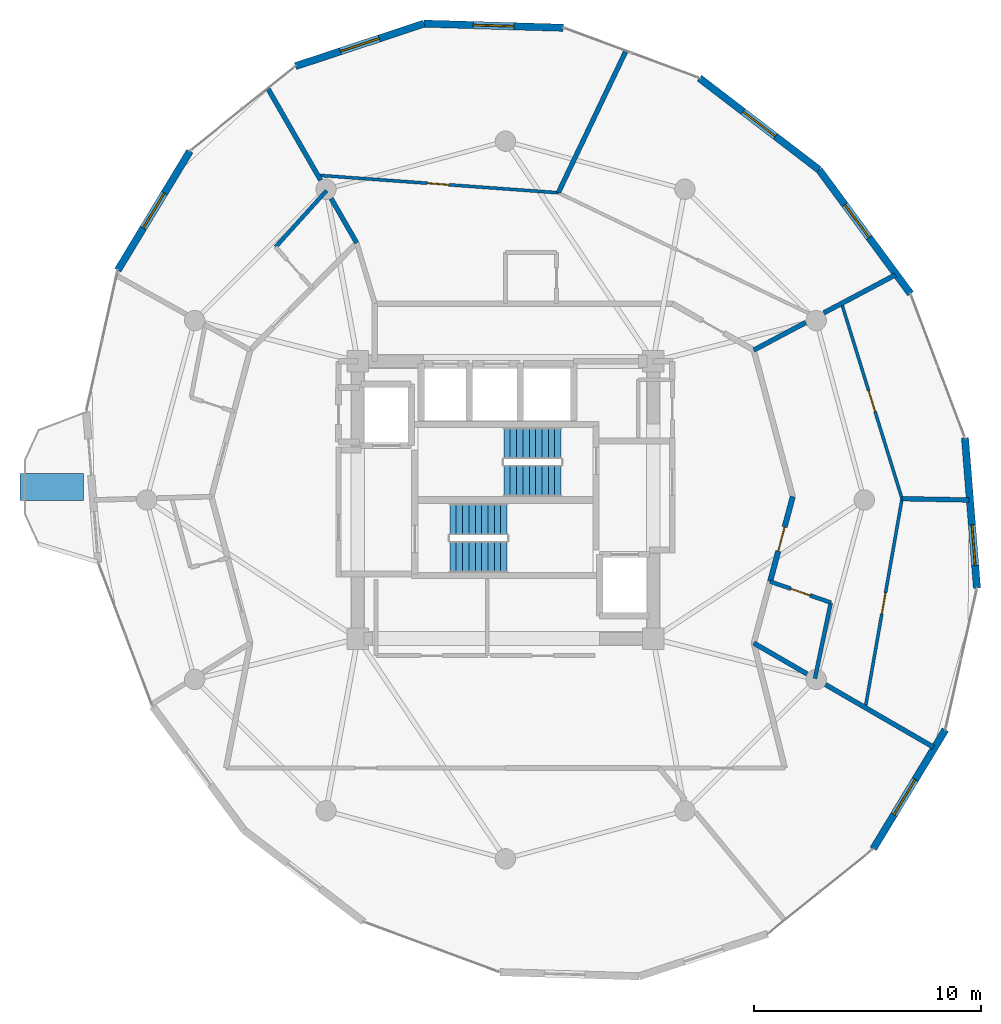
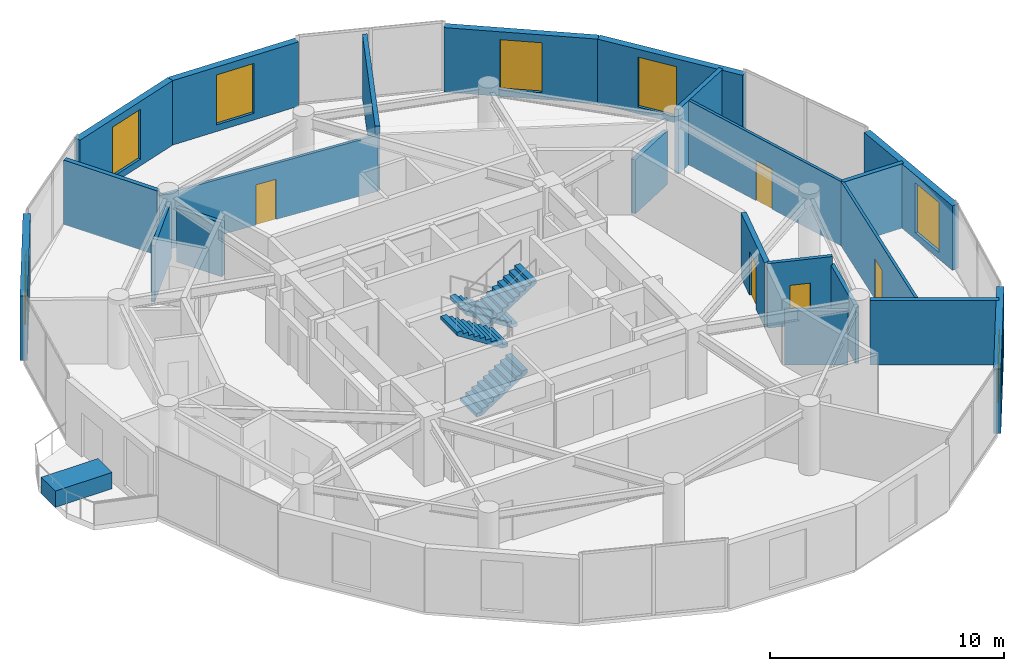
# One storey, part 18 of 20: 22 walls, 7 windows, 5 doors, 4 stair flights, 1 discrete accessory, 12 openings, 2 elements without a shape of their own.
"""IFC4 building model written with IfcOpenShell, lengths in metres."""

from ifc_helpers import new_model, si_unit, direction, frame, frame_2d, origin, origin_2d, place, context, subcontext, project, spatial, polyline, rectangle, outline, extrude, material, layer, layer_set, type_object, element, fill, aggregate, save


model = new_model("IFC4")

# Units and contexts
model_context = context("Model", 3, precision=1e-05, world=origin(), true_north=direction((0.0, 1.0)))
body_context = subcontext(model_context, "Body", "Model", "MODEL_VIEW")
ifc_project = project(units=[si_unit("LENGTHUNIT", "METRE"), si_unit("AREAUNIT", "SQUARE_METRE"), si_unit("VOLUMEUNIT", "CUBIC_METRE"), si_unit("PLANEANGLEUNIT", "RADIAN"), si_unit("MASSUNIT", "GRAM", prefix="KILO")], contexts=[model_context])

# Site, building, storey
site_placement = place(None, origin())
site = spatial("IfcSite", under=ifc_project, at=site_placement, CompositionType="ELEMENT")
building_placement = place(site_placement, origin())
building = spatial("IfcBuilding", under=site, at=building_placement, Name="Solvirekh Grand Hotel", CompositionType="ELEMENT")
storey_placement = place(building_placement, frame((0.0, 0.0, 194.800048828125)))
storey = spatial("IfcBuildingStorey", under=building, at=storey_placement, Name="L50", CompositionType="ELEMENT", Elevation=194.800048828125)

# Wall, opening, window
ifc_material_1 = material(Name="Precast concrete C45/55", Category="concrete")
ifc_layer_1 = layer(ifc_material_1, 0.320068359375)
ifc_layer_set_1 = layer_set([ifc_layer_1], Name="Precast concrete C45/55")
wall_type_1 = type_object("IfcWallType", Name="ExtLobbyWall_RC320", PredefinedType="SOLIDWALL", material=ifc_layer_set_1)
wall_1_placement = place(storey_placement, frame((19.37109375, -10.115966796875, 0.0), z_axis=(0.0, 0.0, 1.0), x_axis=(-0.517847159829, -0.855473155077, 0.0)))
wall_1 = element("IfcWall", 1, at=wall_1_placement, inside=storey, type_object=wall_type_1, Name="L50 exterior structural wall chord 2", PredefinedType="SOLIDWALL", context=body_context, shape_type="SweptSolid", body=[
    extrude(rectangle(XDim=6.13134765625, YDim=0.320068359375, at=frame_2d((3.065673828125, 0.0))), origin(), (0.0, 0.0, 1.0), 3.35986328125),
])
opening_1_placement = place(wall_1_placement, frame((2.568115234375, 0.0, 0.35009765625)))
opening_1 = element("IfcOpeningElement", 2, at=opening_1_placement, cuts=wall_1, Name="Opening W02", PredefinedType="OPENING", context=body_context, shape_type="SweptSolid", body=[
    extrude(rectangle(XDim=1.800048828125, YDim=2.60009765625, at=frame_2d((0.89990234375, 1.300048828125))), frame((0.0, 0.169921875, 0.0), z_axis=(0.0, -1.0, 0.0), x_axis=(1.0, 0.0, 0.0)), (0.0, 0.0, 1.0), 0.340087890625),
])
ifc_material_2 = material(Name="Low-E Tinted Bronze Laminated Glass", Category="aluminium")
window_type = type_object("IfcWindowType", Name="Win_LobbyExt_1800X2600", PartitioningType="SINGLE_PANEL", PredefinedType="WINDOW", material=ifc_material_2)
window_1_placement = place(opening_1_placement, origin())
window_1 = element("IfcWindow", 3, at=window_1_placement, inside=storey, type_object=window_type, Name="L50 panoramic bronze-framed window 2", OverallHeight=2.60009765625, OverallWidth=1.800048828125, PartitioningType="SINGLE_PANEL", PredefinedType="WINDOW", context=body_context, shape_type="SweptSolid", body=[
    extrude(rectangle(XDim=1.800048828125, YDim=2.60009765625, at=frame_2d((0.89990234375, 1.300048828125))), frame((0.0, 0.030029296875, 0.0), z_axis=(0.0, -1.0, 0.0), x_axis=(1.0, 0.0, 0.0)), (0.0, 0.0, 1.0), 0.06005859375),
])
fill(opening_1, window_1)

wall_2_placement = place(storey_placement, frame((20.23388671875, 2.736083984375, 0.0), z_axis=(0.0, 0.0, 1.0), x_axis=(0.079711595883, -0.996817968077, 0.0)))
wall_2 = element("IfcWall", 4, at=wall_2_placement, inside=storey, type_object=wall_type_1, Name="L50 exterior structural wall chord 4", PredefinedType="SOLIDWALL", context=body_context, shape_type="SweptSolid", body=[
    extrude(rectangle(XDim=6.63720703125, YDim=0.320068359375, at=frame_2d((3.318603515625, 0.0))), origin(), (0.0, 0.0, 1.0), 3.35986328125),
])
opening_2_placement = place(wall_2_placement, frame((3.839111328125, 0.0, 0.35009765625)))
opening_2 = element("IfcOpeningElement", 5, at=opening_2_placement, cuts=wall_2, Name="Opening W02", PredefinedType="OPENING", context=body_context, shape_type="SweptSolid", body=[
    extrude(rectangle(XDim=1.800048828125, YDim=2.60009765625, at=frame_2d((0.89990234375, 1.300048828125))), frame((0.0, 0.169921875, 0.0), z_axis=(0.0, -1.0, 0.0), x_axis=(1.0, 0.0, 0.0)), (0.0, 0.0, 1.0), 0.340087890625),
])
window_2_placement = place(opening_2_placement, origin())
window_2 = element("IfcWindow", 6, at=window_2_placement, inside=storey, type_object=window_type, Name="L50 panoramic bronze-framed window 4", OverallHeight=2.60009765625, OverallWidth=1.800048828125, PartitioningType="SINGLE_PANEL", PredefinedType="WINDOW", context=body_context, shape_type="SweptSolid", body=[
    extrude(rectangle(XDim=1.800048828125, YDim=2.60009765625, at=frame_2d((0.89990234375, 1.300048828125))), frame((0.0, 0.030029296875, 0.0), z_axis=(0.0, -1.0, 0.0), x_axis=(1.0, 0.0, 0.0)), (0.0, 0.0, 1.0), 0.06005859375),
])
fill(opening_2, window_2)

wall_3_placement = place(storey_placement, frame((13.80810546875, 14.5419921875, 0.0), z_axis=(0.0, 0.0, 1.0), x_axis=(0.593903316121, -0.804536419996, 0.0)))
wall_3 = element("IfcWall", 7, at=wall_3_placement, inside=storey, type_object=wall_type_1, Name="L50 exterior structural wall chord 6", PredefinedType="SOLIDWALL", context=body_context, shape_type="SweptSolid", body=[
    extrude(rectangle(XDim=6.78515625, YDim=0.320068359375, at=frame_2d((3.392578125, 0.0))), origin(), (0.0, 0.0, 1.0), 3.35986328125),
])
opening_3_placement = place(wall_3_placement, frame((1.910888671875, 0.0, 0.35009765625)))
opening_3 = element("IfcOpeningElement", 8, at=opening_3_placement, cuts=wall_3, Name="Opening W02", PredefinedType="OPENING", context=body_context, shape_type="SweptSolid", body=[
    extrude(rectangle(XDim=1.800048828125, YDim=2.60009765625, at=frame_2d((0.89990234375, 1.300048828125))), frame((0.0, 0.169921875, 0.0), z_axis=(0.0, -1.0, 0.0), x_axis=(1.0, 0.0, 0.0)), (0.0, 0.0, 1.0), 0.340087890625),
])
window_3_placement = place(opening_3_placement, origin())
window_3 = element("IfcWindow", 9, at=window_3_placement, inside=storey, type_object=window_type, Name="L50 panoramic bronze-framed window 6", OverallHeight=2.60009765625, OverallWidth=1.800048828125, PartitioningType="SINGLE_PANEL", PredefinedType="WINDOW", context=body_context, shape_type="SweptSolid", body=[
    extrude(rectangle(XDim=1.800048828125, YDim=2.60009765625, at=frame_2d((0.89990234375, 1.300048828125))), frame((0.0, 0.030029296875, 0.0), z_axis=(0.0, -1.0, 0.0), x_axis=(1.0, 0.0, 0.0)), (0.0, 0.0, 1.0), 0.06005859375),
])
fill(opening_3, window_3)

wall_4_placement = place(storey_placement, frame((8.5390625, 18.576904296875, 0.0), z_axis=(0.0, 0.0, 1.0), x_axis=(0.793947286628, -0.607986600227, 0.0)))
wall_4 = element("IfcWall", 10, at=wall_4_placement, inside=storey, type_object=wall_type_1, Name="L50 exterior structural wall chord 7", PredefinedType="SOLIDWALL", context=body_context, shape_type="SweptSolid", body=[
    extrude(rectangle(XDim=6.636474609375, YDim=0.320068359375, at=frame_2d((3.318359375, 0.0))), origin(), (0.0, 0.0, 1.0), 3.35986328125),
])
opening_4_placement = place(wall_4_placement, frame((2.41796875, 0.0, 0.35009765625)))
opening_4 = element("IfcOpeningElement", 11, at=opening_4_placement, cuts=wall_4, Name="Opening W02", PredefinedType="OPENING", context=body_context, shape_type="SweptSolid", body=[
    extrude(rectangle(XDim=1.800048828125, YDim=2.60009765625, at=frame_2d((0.89990234375, 1.300048828125))), frame((0.0, 0.169921875, 0.0), z_axis=(0.0, -1.0, 0.0), x_axis=(1.0, 0.0, 0.0)), (0.0, 0.0, 1.0), 0.340087890625),
])
window_4_placement = place(opening_4_placement, origin())
window_4 = element("IfcWindow", 12, at=window_4_placement, inside=storey, type_object=window_type, Name="L50 panoramic bronze-framed window 7", OverallHeight=2.60009765625, OverallWidth=1.800048828125, PartitioningType="SINGLE_PANEL", PredefinedType="WINDOW", context=body_context, shape_type="SweptSolid", body=[
    extrude(rectangle(XDim=1.800048828125, YDim=2.60009765625, at=frame_2d((0.89990234375, 1.300048828125))), frame((0.0, 0.030029296875, 0.0), z_axis=(0.0, -1.0, 0.0), x_axis=(1.0, 0.0, 0.0)), (0.0, 0.0, 1.0), 0.06005859375),
])
fill(opening_4, window_4)

wall_5_placement = place(storey_placement, frame((-3.58203125, 20.97509765625, 0.0), z_axis=(0.0, 0.0, 1.0), x_axis=(0.999563511361, -0.029542964566, 0.0)))
wall_5 = element("IfcWall", 13, at=wall_5_placement, inside=storey, type_object=wall_type_1, Name="L50 exterior structural wall chord 9", PredefinedType="SOLIDWALL", context=body_context, shape_type="SweptSolid", body=[
    extrude(rectangle(XDim=6.1318359375, YDim=0.320068359375, at=frame_2d((3.06591796875, 0.0))), origin(), (0.0, 0.0, 1.0), 3.35986328125),
])
opening_5_placement = place(wall_5_placement, frame((2.166015625, 0.0, 0.35009765625)))
opening_5 = element("IfcOpeningElement", 14, at=opening_5_placement, cuts=wall_5, Name="Opening W02", PredefinedType="OPENING", context=body_context, shape_type="SweptSolid", body=[
    extrude(rectangle(XDim=1.800048828125, YDim=2.60009765625, at=frame_2d((0.89990234375, 1.300048828125))), frame((0.0, 0.169921875, 0.0), z_axis=(0.0, -1.0, 0.0), x_axis=(1.0, 0.0, 0.0)), (0.0, 0.0, 1.0), 0.340087890625),
])
window_5_placement = place(opening_5_placement, origin())
window_5 = element("IfcWindow", 15, at=window_5_placement, inside=storey, type_object=window_type, Name="L50 panoramic bronze-framed window 9", OverallHeight=2.60009765625, OverallWidth=1.800048828125, PartitioningType="SINGLE_PANEL", PredefinedType="WINDOW", context=body_context, shape_type="SweptSolid", body=[
    extrude(rectangle(XDim=1.800048828125, YDim=2.60009765625, at=frame_2d((0.89990234375, 1.300048828125))), frame((0.0, 0.030029296875, 0.0), z_axis=(0.0, -1.0, 0.0), x_axis=(1.0, 0.0, 0.0)), (0.0, 0.0, 1.0), 0.06005859375),
])
fill(opening_5, window_5)

wall_6_placement = place(storey_placement, frame((-9.248046875, 19.10302734375, 0.0), z_axis=(0.0, 0.0, 1.0), x_axis=(0.949514623973, 0.313722773898, 0.0)))
wall_6 = element("IfcWall", 16, at=wall_6_placement, inside=storey, type_object=wall_type_1, Name="L50 exterior structural wall chord 10", PredefinedType="SOLIDWALL", context=body_context, shape_type="SweptSolid", body=[
    extrude(rectangle(XDim=5.96728515625, YDim=0.320068359375, at=frame_2d((2.983642578125, 0.0))), origin(), (0.0, 0.0, 1.0), 3.35986328125),
])
opening_6_placement = place(wall_6_placement, frame((2.083984375, 0.0, 0.35009765625)))
opening_6 = element("IfcOpeningElement", 17, at=opening_6_placement, cuts=wall_6, Name="Opening W02", PredefinedType="OPENING", context=body_context, shape_type="SweptSolid", body=[
    extrude(rectangle(XDim=1.800048828125, YDim=2.60009765625, at=frame_2d((0.89990234375, 1.300048828125))), frame((0.0, 0.169921875, 0.0), z_axis=(0.0, -1.0, 0.0), x_axis=(1.0, 0.0, 0.0)), (0.0, 0.0, 1.0), 0.340087890625),
])
window_6_placement = place(opening_6_placement, origin())
window_6 = element("IfcWindow", 18, at=window_6_placement, inside=storey, type_object=window_type, Name="L50 panoramic bronze-framed window 10", OverallHeight=2.60009765625, OverallWidth=1.800048828125, PartitioningType="SINGLE_PANEL", PredefinedType="WINDOW", context=body_context, shape_type="SweptSolid", body=[
    extrude(rectangle(XDim=1.800048828125, YDim=2.60009765625, at=frame_2d((0.89990234375, 1.300048828125))), frame((0.0, 0.030029296875, 0.0), z_axis=(0.0, -1.0, 0.0), x_axis=(1.0, 0.0, 0.0)), (0.0, 0.0, 1.0), 0.06005859375),
])
fill(opening_6, window_6)

wall_7_placement = place(storey_placement, frame((-17.071044921875, 10.115966796875, 0.0), z_axis=(0.0, 0.0, 1.0), x_axis=(0.517847159829, 0.855473155077, 0.0)))
wall_7 = element("IfcWall", 19, at=wall_7_placement, inside=storey, type_object=wall_type_1, Name="L50 exterior structural wall chord 12", PredefinedType="SOLIDWALL", context=body_context, shape_type="SweptSolid", body=[
    extrude(rectangle(XDim=6.13134765625, YDim=0.320068359375, at=frame_2d((3.065673828125, 0.0))), origin(), (0.0, 0.0, 1.0), 3.35986328125),
])
opening_7_placement = place(wall_7_placement, frame((2.166015625, 0.0, 0.35009765625)))
opening_7 = element("IfcOpeningElement", 20, at=opening_7_placement, cuts=wall_7, Name="Opening W02", PredefinedType="OPENING", context=body_context, shape_type="SweptSolid", body=[
    extrude(rectangle(XDim=1.800048828125, YDim=2.60009765625, at=frame_2d((0.89990234375, 1.300048828125))), frame((0.0, 0.169921875, 0.0), z_axis=(0.0, -1.0, 0.0), x_axis=(1.0, 0.0, 0.0)), (0.0, 0.0, 1.0), 0.340087890625),
])
window_7_placement = place(opening_7_placement, origin())
window_7 = element("IfcWindow", 21, at=window_7_placement, inside=storey, type_object=window_type, Name="L50 panoramic bronze-framed window 12", OverallHeight=2.60009765625, OverallWidth=1.800048828125, PartitioningType="SINGLE_PANEL", PredefinedType="WINDOW", context=body_context, shape_type="SweptSolid", body=[
    extrude(rectangle(XDim=1.800048828125, YDim=2.60009765625, at=frame_2d((0.89990234375, 1.300048828125))), frame((0.0, 0.030029296875, 0.0), z_axis=(0.0, -1.0, 0.0), x_axis=(1.0, 0.0, 0.0)), (0.0, 0.0, 1.0), 0.06005859375),
])
fill(opening_7, window_7)

# Wall, opening, door
ifc_material_3 = material(Name="Acoustic Gypsum Partition Assembly")
ifc_layer_2 = layer(ifc_material_3, 0.239990234375)
ifc_layer_set_2 = layer_set([ifc_layer_2], Name="Acoustic Gypsum Partition Assembly")
wall_type_2 = type_object("IfcWallType", Name="Part_Corridor_240", PredefinedType="PARTITIONING", material=ifc_layer_set_2)
wall_8_placement = place(storey_placement, frame((11.655029296875, -3.591064453125, 0.0), z_axis=(0.0, 0.0, 1.0), x_axis=(0.257007037833, 0.966409531464, 0.0)))
wall_8 = element("IfcWall", 22, at=wall_8_placement, inside=storey, type_object=wall_type_2, Name="L50 Executive Suite 5205 Living Room entrance wall", PredefinedType="PARTITIONING", context=body_context, shape_type="SweptSolid", body=[
    extrude(rectangle(XDim=3.87109375, YDim=0.239990234375, at=frame_2d((1.935546875, 0.0))), origin(), (0.0, 0.0, 1.0), 3.35986328125),
])
opening_8_placement = place(wall_8_placement, frame((1.385986328125, 0.0, 0.0)))
opening_8 = element("IfcOpeningElement", 23, at=opening_8_placement, cuts=wall_8, Name="Opening D08", PredefinedType="OPENING", context=body_context, shape_type="SweptSolid", body=[
    extrude(rectangle(XDim=1.10009765625, YDim=2.300048828125, at=frame_2d((0.550048828125, 1.14990234375))), frame((0.0, 0.1298828125, 0.0), z_axis=(0.0, -1.0, 0.0), x_axis=(1.0, 0.0, 0.0)), (0.0, 0.0, 1.0), 0.260009765625),
])
ifc_material_4 = material(Name="Fire-Rated Steel Door Assembly", Category="steel")
door_type_1 = type_object("IfcDoorType", Name="Door_SuiteEntry_1100X2300", OperationType="NOTDEFINED", PredefinedType="DOOR", material=ifc_material_4)
door_1_placement = place(opening_8_placement, origin())
door_1 = element("IfcDoor", 24, at=door_1_placement, inside=storey, type_object=door_type_1, Name="L50 Executive Suite 5205 Living Room entrance door", OperationType="SINGLE_SWING_LEFT", OverallHeight=2.300048828125, OverallWidth=1.10009765625, PredefinedType="DOOR", context=body_context, shape_type="SweptSolid", body=[
    extrude(rectangle(XDim=1.10009765625, YDim=2.300048828125, at=frame_2d((0.550048828125, 1.14990234375))), frame((0.0, 0.02490234375, 0.0), z_axis=(0.0, -1.0, 0.0), x_axis=(1.0, 0.0, 0.0)), (0.0, 0.0, 1.0), 0.050048828125),
])
fill(opening_8, door_1)

ifc_layer_3 = layer(ifc_material_3, 0.135009765625)
ifc_layer_set_3 = layer_set([ifc_layer_3], Name="Acoustic Gypsum Partition Assembly")
wall_type_3 = type_object("IfcWallType", Name="Part_RoomInt_135", PredefinedType="PARTITIONING", material=ifc_layer_set_3)
wall_9_placement = place(storey_placement, frame((-8.262939453125, 14.299072265625, 0.0), z_axis=(0.0, 0.0, 1.0), x_axis=(0.997360188486, -0.072613045814, 0.0)))
wall_9 = element("IfcWall", 25, at=wall_9_placement, inside=storey, type_object=wall_type_3, Name="L50 Panorama Suite 5201 Observatory Library bedroom screen wall", PredefinedType="PARTITIONING", context=body_context, shape_type="SweptSolid", body=[
    extrude(rectangle(XDim=10.617919921875, YDim=0.135009765625, at=frame_2d((5.30908203125, 0.0))), origin(), (0.0, 0.0, 1.0), 2.928955078125),
])
opening_9_placement = place(wall_9_placement, frame((4.833984375, 0.0, 0.0)))
opening_9 = element("IfcOpeningElement", 26, at=opening_9_placement, cuts=wall_9, Name="Opening D10", PredefinedType="OPENING", context=body_context, shape_type="SweptSolid", body=[
    extrude(rectangle(XDim=0.949951171875, YDim=2.10009765625, at=frame_2d((0.47509765625, 1.050048828125))), frame((0.0, 0.07763671875, 0.0), z_axis=(0.0, -1.0, 0.0), x_axis=(1.0, 0.0, 0.0)), (0.0, 0.0, 1.0), 0.155029296875),
])
ifc_material_5 = material(Name="Anodized Bronze Aluminium 6063-T6", Category="aluminium")
door_type_2 = type_object("IfcDoorType", Name="Door_RoomInt_950X2100", OperationType="NOTDEFINED", PredefinedType="DOOR", material=ifc_material_5)
door_2_placement = place(opening_9_placement, origin())
door_2 = element("IfcDoor", 27, at=door_2_placement, inside=storey, type_object=door_type_2, Name="L50 Panorama Suite 5201 Observatory Library master bedroom door", OperationType="SINGLE_SWING_LEFT", OverallHeight=2.10009765625, OverallWidth=0.949951171875, PredefinedType="DOOR", context=body_context, shape_type="SweptSolid", body=[
    extrude(rectangle(XDim=0.949951171875, YDim=2.10009765625, at=frame_2d((0.47509765625, 1.050048828125))), frame((0.0, 0.02490234375, 0.0), z_axis=(0.0, -1.0, 0.0), x_axis=(1.0, 0.0, 0.0)), (0.0, 0.0, 1.0), 0.050048828125),
])
fill(opening_9, door_2)

wall_10_placement = place(storey_placement, frame((15.846923828125, -9.14404296875, 0.0), z_axis=(0.0, 0.0, 1.0), x_axis=(0.17298318012, 0.984924778547, 0.0)))
wall_10 = element("IfcWall", 28, at=wall_10_placement, inside=storey, type_object=wall_type_3, Name="L50 Executive Suite 5205 Living Room bedroom screen wall", PredefinedType="PARTITIONING", context=body_context, shape_type="SweptSolid", body=[
    extrude(rectangle(XDim=9.341796875, YDim=0.135009765625, at=frame_2d((4.6708984375, 0.0))), origin(), (0.0, 0.0, 1.0), 3.35986328125),
])
opening_10_placement = place(wall_10_placement, frame((4.196044921875, 0.0, 0.0)))
opening_10 = element("IfcOpeningElement", 29, at=opening_10_placement, cuts=wall_10, Name="Opening D10", PredefinedType="OPENING", context=body_context, shape_type="SweptSolid", body=[
    extrude(rectangle(XDim=0.949951171875, YDim=2.10009765625, at=frame_2d((0.47509765625, 1.050048828125))), frame((0.0, 0.07763671875, 0.0), z_axis=(0.0, -1.0, 0.0), x_axis=(1.0, 0.0, 0.0)), (0.0, 0.0, 1.0), 0.155029296875),
])
door_3_placement = place(opening_10_placement, origin())
door_3 = element("IfcDoor", 30, at=door_3_placement, inside=storey, type_object=door_type_2, Name="L50 Executive Suite 5205 Living Room master bedroom door", OperationType="SINGLE_SWING_RIGHT", OverallHeight=2.10009765625, OverallWidth=0.949951171875, PredefinedType="DOOR", context=body_context, shape_type="SweptSolid", body=[
    extrude(rectangle(XDim=0.949951171875, YDim=2.10009765625, at=frame_2d((0.47509765625, 1.050048828125))), frame((0.0, 0.02490234375, 0.0), z_axis=(0.0, -1.0, 0.0), x_axis=(1.0, 0.0, 0.0)), (0.0, 0.0, 1.0), 0.050048828125),
])
fill(opening_10, door_3)

wall_11_placement = place(storey_placement, frame((17.462890625, 0.056884765625, 0.0), z_axis=(0.0, 0.0, 1.0), x_axis=(-0.295539912375, 0.955330393211, 0.0)))
wall_11 = element("IfcWall", 31, at=wall_11_placement, inside=storey, type_object=wall_type_3, Name="L50 Executive Suite 5205 Panorama Suite Study bedroom screen wall", PredefinedType="PARTITIONING", context=body_context, shape_type="SweptSolid", body=[
    extrude(rectangle(XDim=9.000244140625, YDim=0.135009765625, at=frame_2d((4.5, 0.0))), origin(), (0.0, 0.0, 1.0), 3.35986328125),
])
opening_11_placement = place(wall_11_placement, frame((4.02490234375, 0.0, 0.0)))
opening_11 = element("IfcOpeningElement", 32, at=opening_11_placement, cuts=wall_11, Name="Opening D10", PredefinedType="OPENING", context=body_context, shape_type="SweptSolid", body=[
    extrude(rectangle(XDim=0.949951171875, YDim=2.10009765625, at=frame_2d((0.47509765625, 1.050048828125))), frame((0.0, 0.07763671875, 0.0), z_axis=(0.0, -1.0, 0.0), x_axis=(1.0, 0.0, 0.0)), (0.0, 0.0, 1.0), 0.155029296875),
])
door_4_placement = place(opening_11_placement, origin())
door_4 = element("IfcDoor", 33, at=door_4_placement, inside=storey, type_object=door_type_2, Name="L50 Executive Suite 5205 Panorama Suite Study master bedroom door", OperationType="SINGLE_SWING_LEFT", OverallHeight=2.10009765625, OverallWidth=0.949951171875, PredefinedType="DOOR", context=body_context, shape_type="SweptSolid", body=[
    extrude(rectangle(XDim=0.949951171875, YDim=2.10009765625, at=frame_2d((0.47509765625, 1.050048828125))), frame((0.0, 0.02490234375, 0.0), z_axis=(0.0, -1.0, 0.0), x_axis=(1.0, 0.0, 0.0)), (0.0, 0.0, 1.0), 0.050048828125),
])
fill(opening_11, door_4)

# Walls
ifc_layer_4 = layer(ifc_material_3, 0.2099609375)
ifc_layer_set_4 = layer_set([ifc_layer_4], Name="Acoustic Gypsum Partition Assembly")
wall_type_4 = type_object("IfcWallType", Name="Part_SuiteDemise_210", PredefinedType="PARTITIONING", material=ifc_layer_set_4)
wall_12_placement = place(storey_placement, frame((10.93505859375, 6.60009765625, 0.0), z_axis=(0.0, 0.0, 1.0), x_axis=(0.883041221412, 0.469295430711, 0.0)))
element("IfcWall", 34, at=wall_12_placement, inside=storey, type_object=wall_type_4, Name="L50 suite radial wall 2 (A)", PredefinedType="PARTITIONING", context=body_context, shape_type="SweptSolid", body=[
    extrude(rectangle(XDim=2.588623046875, YDim=0.2099609375, at=frame_2d((1.29443359375, 0.0))), origin(), (0.0, 0.0, 1.0), 2.801025390625),
])
wall_13_placement = place(storey_placement, frame((14.011962890625, 8.235107421875, 0.0), z_axis=(0.0, 0.0, 1.0), x_axis=(0.883108656971, 0.469168519813, 0.0)))
element("IfcWall", 35, at=wall_13_placement, inside=storey, type_object=wall_type_4, Name="L50 suite radial wall 2 (B)", PredefinedType="PARTITIONING", context=body_context, shape_type="SweptSolid", body=[
    extrude(rectangle(XDim=3.58056640625, YDim=0.2099609375, at=frame_2d((1.790283203125, 0.0))), origin(), (0.0, 0.0, 1.0), 3.35986328125),
])
wall_14_placement = place(storey_placement, frame((-6.550048828125, 11.322021484375, 0.0), z_axis=(0.0, 0.0, 1.0), x_axis=(-0.498754501597, 0.866743299447, 0.0)))
element("IfcWall", 36, at=wall_14_placement, inside=storey, type_object=wall_type_4, Name="L50 suite radial wall 5 (A)", PredefinedType="PARTITIONING", context=body_context, shape_type="SweptSolid", body=[
    extrude(rectangle(XDim=2.249755859375, YDim=0.2099609375, at=frame_2d((1.125, 0.0))), origin(), (0.0, 0.0, 1.0), 2.801025390625),
])
wall_15_placement = place(storey_placement, frame((-8.14111328125, 14.0869140625, 0.0), z_axis=(0.0, 0.0, 1.0), x_axis=(-0.498750239611, 0.866745751929, 0.0)))
element("IfcWall", 37, at=wall_15_placement, inside=storey, type_object=wall_type_4, Name="L50 suite radial wall 5 (B)", PredefinedType="PARTITIONING", context=body_context, shape_type="SweptSolid", body=[
    extrude(rectangle(XDim=4.617431640625, YDim=0.2099609375, at=frame_2d((2.30859375, 0.0))), origin(), (0.0, 0.0, 1.0), 3.35986328125),
])
wall_16_placement = place(storey_placement, frame((10.93505859375, -6.300048828125, 0.0), z_axis=(0.0, 0.0, 1.0), x_axis=(0.865378990195, -0.50111795351, 0.0)))
element("IfcWall", 38, at=wall_16_placement, inside=storey, type_object=wall_type_4, Name="L50 suite radial wall 12 (A)", PredefinedType="PARTITIONING", context=body_context, shape_type="SweptSolid", body=[
    extrude(rectangle(XDim=2.709716796875, YDim=0.2099609375, at=frame_2d((1.35498046875, 0.0))), origin(), (0.0, 0.0, 1.0), 2.801025390625),
])
wall_17_placement = place(storey_placement, frame((14.093994140625, -8.12890625, 0.0), z_axis=(0.0, 0.0, 1.0), x_axis=(0.865381739925, -0.501113204979, 0.0)))
element("IfcWall", 39, at=wall_17_placement, inside=storey, type_object=wall_type_4, Name="L50 suite radial wall 12 (B)", PredefinedType="PARTITIONING", context=body_context, shape_type="SweptSolid", body=[
    extrude(rectangle(XDim=5.50390625, YDim=0.2099609375, at=frame_2d((2.751953125, 0.0))), origin(), (0.0, 0.0, 1.0), 3.35986328125),
])
wall_18_placement = place(storey_placement, frame((2.326904296875, 13.528076171875, 0.0), z_axis=(0.0, 0.0, 1.0), x_axis=(0.430585057704, 0.902550003093, 0.0)))
element("IfcWall", 40, at=wall_18_placement, inside=storey, type_object=wall_type_4, Name="L50 Panorama Suite 5201 North Sitting Room dividing partition 1", PredefinedType="PARTITIONING", context=body_context, shape_type="SweptSolid", body=[
    extrude(rectangle(XDim=6.87939453125, YDim=0.2099609375, at=frame_2d((3.439697265625, 0.0))), origin(), (0.0, 0.0, 1.0), 3.35986328125),
])
wall_19_placement = place(storey_placement, frame((17.462890625, 0.056884765625, 0.0), z_axis=(0.0, 0.0, 1.0), x_axis=(0.99981415994, -0.019278111492, 0.0)))
element("IfcWall", 41, at=wall_19_placement, inside=storey, type_object=wall_type_4, Name="L50 Executive Suite 5205 Living Room dividing partition 1", PredefinedType="PARTITIONING", context=body_context, shape_type="SweptSolid", body=[
    extrude(rectangle(XDim=2.95068359375, YDim=0.2099609375, at=frame_2d((1.475341796875, 0.0))), origin(), (0.0, 0.0, 1.0), 3.35986328125),
])
ifc_layer_5 = layer(ifc_material_3, 0.175048828125)
ifc_layer_set_5 = layer_set([ifc_layer_5], Name="Acoustic Gypsum Partition Assembly")
wall_type_5 = type_object("IfcWallType", Name="Plumb_Ensuite_175", PredefinedType="PLUMBINGWALL", material=ifc_layer_set_5)
wall_20_placement = place(storey_placement, frame((-7.8740234375, 13.623046875, 0.0), z_axis=(0.0, 0.0, 1.0), x_axis=(-0.670980131946, -0.741475328338, 0.0)))
element("IfcWall", 42, at=wall_20_placement, inside=storey, type_object=wall_type_5, Name="L50 En-suite Bathroom 5202 outer plumbing wall", PredefinedType="PLUMBINGWALL", context=body_context, shape_type="SweptSolid", body=[
    extrude(rectangle(XDim=3.348876953125, YDim=0.175048828125, at=frame_2d((1.67431640625, 0.0))), origin(), (0.0, 0.0, 1.0), 2.928955078125),
])
wall_21_placement = place(storey_placement, frame((13.6279296875, -7.860107421875, 0.0), z_axis=(0.0, 0.0, 1.0), x_axis=(0.20438530576, 0.978890518285, 0.0)))
element("IfcWall", 43, at=wall_21_placement, inside=storey, type_object=wall_type_5, Name="L50 En-suite Bathroom 5205 outer plumbing wall", PredefinedType="PLUMBINGWALL", context=body_context, shape_type="SweptSolid", body=[
    extrude(rectangle(XDim=3.4150390625, YDim=0.175048828125, at=frame_2d((1.70751953125, 0.0))), origin(), (0.0, 0.0, 1.0), 2.928955078125),
])

# Wall, opening, door
wall_22_placement = place(storey_placement, frame((11.655029296875, -3.591064453125, 0.0), z_axis=(0.0, 0.0, 1.0), x_axis=(0.944823724973, -0.327579194591, 0.0)))
wall_22 = element("IfcWall", 44, at=wall_22_placement, inside=storey, type_object=wall_type_5, Name="L50 En-suite Bathroom 5205 entry plumbing wall", PredefinedType="PLUMBINGWALL", context=body_context, shape_type="SweptSolid", body=[
    extrude(rectangle(XDim=2.826904296875, YDim=0.175048828125, at=frame_2d((1.41357421875, 0.0))), origin(), (0.0, 0.0, 1.0), 3.35986328125),
])
opening_12_placement = place(wall_22_placement, frame((0.962890625, 0.0, 0.0)))
opening_12 = element("IfcOpeningElement", 45, at=opening_12_placement, cuts=wall_22, Name="Opening D09", PredefinedType="OPENING", context=body_context, shape_type="SweptSolid", body=[
    extrude(rectangle(XDim=0.89990234375, YDim=2.10009765625, at=frame_2d((0.449951171875, 1.050048828125))), frame((0.0, 0.09765625, 0.0), z_axis=(0.0, -1.0, 0.0), x_axis=(1.0, 0.0, 0.0)), (0.0, 0.0, 1.0), 0.195068359375),
])
door_type_3 = type_object("IfcDoorType", Name="Door_Ensuite_900X2100", OperationType="NOTDEFINED", PredefinedType="DOOR", material=ifc_material_5)
door_5_placement = place(opening_12_placement, origin())
door_5 = element("IfcDoor", 46, at=door_5_placement, inside=storey, type_object=door_type_3, Name="L50 En-suite Bathroom 5205 door", OperationType="SINGLE_SWING_RIGHT", OverallHeight=2.10009765625, OverallWidth=0.89990234375, PredefinedType="DOOR", context=body_context, shape_type="SweptSolid", body=[
    extrude(rectangle(XDim=0.89990234375, YDim=2.10009765625, at=frame_2d((0.449951171875, 1.050048828125))), frame((0.0, 0.02490234375, 0.0), z_axis=(0.0, -1.0, 0.0), x_axis=(1.0, 0.0, 0.0)), (0.0, 0.0, 1.0), 0.050048828125),
])
fill(opening_12, door_5)

# Stair, stair flights
ifc_material_6 = material(Name="Concrete C40/50", Category="concrete")
stair_type = type_object("IfcStairType", Name="Stair_Core_1450", PredefinedType="HALF_TURN_STAIR", material=ifc_material_6)
stair_1_placement = place(storey_placement, origin())
stair_1 = element("IfcStair", 47, at=stair_1_placement, inside=storey, type_object=stair_type, Name="L50 Enclosed exit stair ST-1", PredefinedType="HALF_TURN_STAIR")
stair_flight_type = type_object("IfcStairFlightType", Name="Flight_Core_1450", PredefinedType="STRAIGHT", material=ifc_material_6)
stair_flight_1_placement = place(storey_placement, frame((-2.449951171875, -2.5, 0.0), z_axis=(0.0, 0.0, 1.0), x_axis=(1.0, 0.0, 0.0)))
stair_flight_1 = element("IfcStairFlight", 48, at=stair_flight_1_placement, type_object=stair_flight_type, Name="ST-1 flight 1", NumberOfRisers=10, NumberOfTreads=9, PredefinedType="STRAIGHT", RiserHeight=0.18, TreadLength=0.28, context=body_context, shape_type="SweptSolid", body=[
    extrude(outline(polyline([(0.0, 0.0), (0.0, 0.179931640625), (0.280029296875, 0.179931640625), (0.280029296875, 0.360107421875), (0.56005859375, 0.360107421875), (0.56005859375, 0.5400390625), (0.840087890625, 0.5400390625), (0.840087890625, 0.719970703125), (1.1201171875, 0.719970703125), (1.1201171875, 0.89990234375), (1.39990234375, 0.89990234375), (1.39990234375, 1.080078125), (1.679931640625, 1.080078125), (1.679931640625, 1.260009765625), (1.9599609375, 1.260009765625), (1.9599609375, 1.43994140625), (2.239990234375, 1.43994140625), (2.239990234375, 1.6201171875), (2.52001953125, 1.6201171875), (2.52001953125, 1.800048828125), (2.52001953125, 1.44189453125), (0.277099609375, 0.0), (0.0, 0.0)])), frame((0.0, 0.699951171875, 0.0), z_axis=(0.0, -1.0, 0.0), x_axis=(1.0, 0.0, 0.0)), (0.0, 0.0, 1.0), 1.39990234375),
])
stair_flight_2_placement = place(storey_placement, frame((0.070068359375, -0.85009765625, 1.800048828125), z_axis=(0.0, 0.0, 1.0), x_axis=(-1.0, 0.0, 0.0)))
stair_flight_2 = element("IfcStairFlight", 49, at=stair_flight_2_placement, type_object=stair_flight_type, Name="ST-1 flight 2", NumberOfRisers=10, NumberOfTreads=9, PredefinedType="STRAIGHT", RiserHeight=0.18, TreadLength=0.28, context=body_context, shape_type="SweptSolid", body=[
    extrude(outline(polyline([(0.0, 0.0), (0.0, 0.179931640625), (0.280029296875, 0.179931640625), (0.280029296875, 0.360107421875), (0.56005859375, 0.360107421875), (0.56005859375, 0.5400390625), (0.840087890625, 0.5400390625), (0.840087890625, 0.719970703125), (1.1201171875, 0.719970703125), (1.1201171875, 0.89990234375), (1.39990234375, 0.89990234375), (1.39990234375, 1.080078125), (1.679931640625, 1.080078125), (1.679931640625, 1.260009765625), (1.9599609375, 1.260009765625), (1.9599609375, 1.43994140625), (2.239990234375, 1.43994140625), (2.239990234375, 1.6201171875), (2.52001953125, 1.6201171875), (2.52001953125, 1.800048828125), (2.52001953125, 1.44189453125), (0.277099609375, 0.0), (0.0, 0.0)])), frame((0.0, 0.699951171875, 0.0), z_axis=(0.0, -1.0, 0.0), x_axis=(1.0, 0.0, 0.0)), (0.0, 0.0, 1.0), 1.39990234375),
])
aggregate(stair_1, [stair_flight_1, stair_flight_2])

stair_2_placement = place(storey_placement, origin())
stair_2 = element("IfcStair", 50, at=stair_2_placement, inside=storey, type_object=stair_type, Name="L50 Enclosed exit stair ST-2", PredefinedType="HALF_TURN_STAIR")
stair_flight_3_placement = place(storey_placement, frame((2.449951171875, 2.5, 0.0), z_axis=(0.0, 0.0, 1.0), x_axis=(-1.0, 0.0, 0.0)))
stair_flight_3 = element("IfcStairFlight", 51, at=stair_flight_3_placement, type_object=stair_flight_type, Name="ST-2 flight 1", NumberOfRisers=10, NumberOfTreads=9, PredefinedType="STRAIGHT", RiserHeight=0.18, TreadLength=0.28, context=body_context, shape_type="SweptSolid", body=[
    extrude(outline(polyline([(0.0, 0.0), (0.0, 0.179931640625), (0.280029296875, 0.179931640625), (0.280029296875, 0.360107421875), (0.56005859375, 0.360107421875), (0.56005859375, 0.5400390625), (0.840087890625, 0.5400390625), (0.840087890625, 0.719970703125), (1.1201171875, 0.719970703125), (1.1201171875, 0.89990234375), (1.39990234375, 0.89990234375), (1.39990234375, 1.080078125), (1.679931640625, 1.080078125), (1.679931640625, 1.260009765625), (1.9599609375, 1.260009765625), (1.9599609375, 1.43994140625), (2.239990234375, 1.43994140625), (2.239990234375, 1.6201171875), (2.52001953125, 1.6201171875), (2.52001953125, 1.800048828125), (2.52001953125, 1.44189453125), (0.277099609375, 0.0), (0.0, 0.0)])), frame((0.0, 0.699951171875, 0.0), z_axis=(0.0, -1.0, 0.0), x_axis=(1.0, 0.0, 0.0)), (0.0, 0.0, 1.0), 1.39990234375),
])
stair_flight_4_placement = place(storey_placement, frame((-0.070068359375, 0.85009765625, 1.800048828125), z_axis=(0.0, 0.0, 1.0), x_axis=(1.0, 0.0, 0.0)))
stair_flight_4 = element("IfcStairFlight", 52, at=stair_flight_4_placement, type_object=stair_flight_type, Name="ST-2 flight 2", NumberOfRisers=10, NumberOfTreads=9, PredefinedType="STRAIGHT", RiserHeight=0.18, TreadLength=0.28, context=body_context, shape_type="SweptSolid", body=[
    extrude(outline(polyline([(0.0, 0.0), (0.0, 0.179931640625), (0.280029296875, 0.179931640625), (0.280029296875, 0.360107421875), (0.56005859375, 0.360107421875), (0.56005859375, 0.5400390625), (0.840087890625, 0.5400390625), (0.840087890625, 0.719970703125), (1.1201171875, 0.719970703125), (1.1201171875, 0.89990234375), (1.39990234375, 0.89990234375), (1.39990234375, 1.080078125), (1.679931640625, 1.080078125), (1.679931640625, 1.260009765625), (1.9599609375, 1.260009765625), (1.9599609375, 1.43994140625), (2.239990234375, 1.43994140625), (2.239990234375, 1.6201171875), (2.52001953125, 1.6201171875), (2.52001953125, 1.800048828125), (2.52001953125, 1.44189453125), (0.277099609375, 0.0), (0.0, 0.0)])), frame((0.0, 0.699951171875, 0.0), z_axis=(0.0, -1.0, 0.0), x_axis=(1.0, 0.0, 0.0)), (0.0, 0.0, 1.0), 1.39990234375),
])
aggregate(stair_2, [stair_flight_3, stair_flight_4])

# Discrete accessory
discrete_accessory_type = type_object("IfcDiscreteAccessoryType", Name="Acc_PlanterBox", PredefinedType="USERDEFINED", material=ifc_material_1)
discrete_accessory_placement = place(storey_placement, frame((-19.97509765625, 0.572021484375, 0.0), z_axis=(0.0, 0.0, 1.0), x_axis=(0.0, 1.0, 0.0)))
element("IfcDiscreteAccessory", 53, at=discrete_accessory_placement, inside=storey, type_object=discrete_accessory_type, Name="L50 horn sky-garden tree planter", ObjectType="PLANTER", PredefinedType="USERDEFINED", context=body_context, shape_type="SweptSolid", body=[
    extrude(rectangle(XDim=1.199951171875, YDim=2.800048828125, at=origin_2d()), origin(), (0.0, 0.0, 1.0), 0.85009765625),
])

save(model, "model.ifc")
